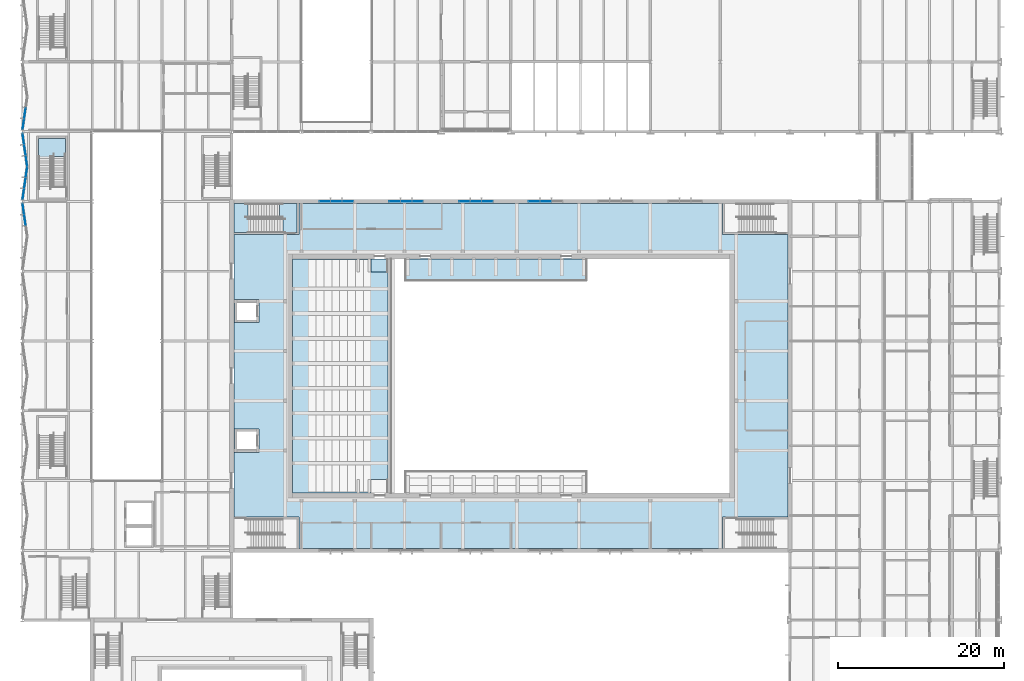
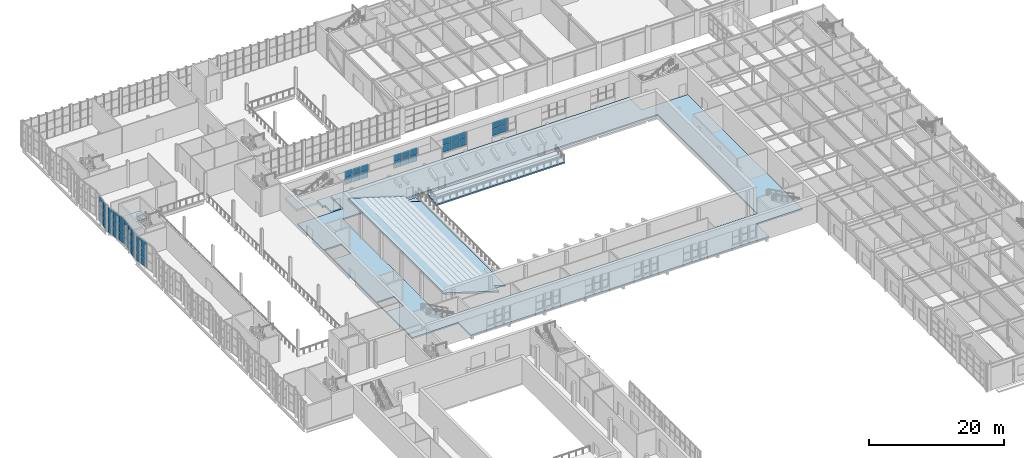
# One storey, part 59 of 127: 52 plates, 7 slabs, 10 elements without a shape of their own.
"""IFC4 building model written with IfcOpenShell, lengths in metres."""

from ifc_helpers import new_model, si_unit, direction, frame, origin, origin_2d, place, context, subcontext, project, spatial, polyline, rectangle, outline, extrude, material, layer, layer_set, type_object, element, aggregate, save


model = new_model("IFC4")

# Units and contexts
model_context = context("Model", 3, precision=1e-05, world=origin(), true_north=direction((0.0, 1.0)))
body_context = subcontext(model_context, "Body", "Model", "MODEL_VIEW")
ifc_project = project(units=[si_unit("LENGTHUNIT", "METRE"), si_unit("AREAUNIT", "SQUARE_METRE"), si_unit("VOLUMEUNIT", "CUBIC_METRE"), si_unit("PLANEANGLEUNIT", "RADIAN"), si_unit("MASSUNIT", "GRAM", prefix="KILO")], contexts=[model_context])

# Site, building, storey
site_placement = place(None, origin())
site = spatial("IfcSite", under=ifc_project, at=site_placement, CompositionType="ELEMENT")
building_placement = place(site_placement, origin())
building = spatial("IfcBuilding", under=site, at=building_placement, Name="Ljudholm Concert House", CompositionType="ELEMENT")
storey_placement = place(building_placement, frame((0.0, 0.0, 5.39990234375)))
storey = spatial("IfcBuildingStorey", under=building, at=storey_placement, Name="L01", CompositionType="ELEMENT", Elevation=5.39990234375)

# Curtain wall, plates
ifc_material_1 = material(Name="Aluminium curtain wall with impact-rated laminated glass", Category="aluminium")
curtain_wall_type = type_object("IfcCurtainWallType", Name="CURTAIN WALL 1400", PredefinedType="NOTDEFINED", material=ifc_material_1)
curtain_wall_1_placement = place(storey_placement, origin())
curtain_wall_1 = element("IfcCurtainWall", 1, at=curtain_wall_1_placement, inside=storey, type_object=curtain_wall_type, Name="Promenade curtain wall", PredefinedType="NOTDEFINED")
ifc_material_2 = material(Name="Impact-rated laminated glass", Category="glass")
ifc_layer_1 = layer(ifc_material_2, 0.028076171875)
ifc_layer_set_1 = layer_set([ifc_layer_1], Name="Impact-rated laminated glass")
plate_type = type_object("IfcPlateType", Name="CURTAIN PANEL 28", PredefinedType="CURTAIN_PANEL", material=ifc_layer_set_1)
plate_1_placement = place(storey_placement, frame((40.43505859375, 96.39990234375, 0.960205078125), z_axis=(0.0, 0.0, 1.0), x_axis=(1.0, 0.0, 0.0)))
plate_1 = element("IfcPlate", 2, at=plate_1_placement, type_object=plate_type, Name="Curtain wall panel", PredefinedType="CURTAIN_PANEL", context=body_context, shape_type="SweptSolid", body=[
    extrude(rectangle(XDim=1.2900390625, YDim=0.028076171875, at=origin_2d()), origin(), (0.0, 0.0, 1.0), 1.2099609375),
])
plate_2_placement = place(storey_placement, frame((40.43505859375, 96.39990234375, 2.230224609375), z_axis=(0.0, 0.0, 1.0), x_axis=(1.0, 0.0, 0.0)))
plate_2 = element("IfcPlate", 3, at=plate_2_placement, type_object=plate_type, Name="Curtain wall panel", PredefinedType="CURTAIN_PANEL", context=body_context, shape_type="SweptSolid", body=[
    extrude(rectangle(XDim=1.2900390625, YDim=0.028076171875, at=origin_2d()), origin(), (0.0, 0.0, 1.0), 1.2099609375),
])
plate_3_placement = place(storey_placement, frame((41.800048828125, 96.39990234375, 0.960205078125), z_axis=(0.0, 0.0, 1.0), x_axis=(1.0, 0.0, 0.0)))
plate_3 = element("IfcPlate", 4, at=plate_3_placement, type_object=plate_type, Name="Curtain wall panel", PredefinedType="CURTAIN_PANEL", context=body_context, shape_type="SweptSolid", body=[
    extrude(rectangle(XDim=1.320068359375, YDim=0.028076171875, at=origin_2d()), origin(), (0.0, 0.0, 1.0), 1.2099609375),
])
plate_4_placement = place(storey_placement, frame((41.800048828125, 96.39990234375, 2.230224609375), z_axis=(0.0, 0.0, 1.0), x_axis=(1.0, 0.0, 0.0)))
plate_4 = element("IfcPlate", 5, at=plate_4_placement, type_object=plate_type, Name="Curtain wall panel", PredefinedType="CURTAIN_PANEL", context=body_context, shape_type="SweptSolid", body=[
    extrude(rectangle(XDim=1.320068359375, YDim=0.028076171875, at=origin_2d()), origin(), (0.0, 0.0, 1.0), 1.2099609375),
])
plate_5_placement = place(storey_placement, frame((43.1650390625, 96.39990234375, 0.960205078125), z_axis=(0.0, 0.0, 1.0), x_axis=(1.0, 0.0, 0.0)))
plate_5 = element("IfcPlate", 6, at=plate_5_placement, type_object=plate_type, Name="Curtain wall panel", PredefinedType="CURTAIN_PANEL", context=body_context, shape_type="SweptSolid", body=[
    extrude(rectangle(XDim=1.2900390625, YDim=0.028076171875, at=origin_2d()), origin(), (0.0, 0.0, 1.0), 1.2099609375),
])
plate_6_placement = place(storey_placement, frame((43.1650390625, 96.39990234375, 2.230224609375), z_axis=(0.0, 0.0, 1.0), x_axis=(1.0, 0.0, 0.0)))
plate_6 = element("IfcPlate", 7, at=plate_6_placement, type_object=plate_type, Name="Curtain wall panel", PredefinedType="CURTAIN_PANEL", context=body_context, shape_type="SweptSolid", body=[
    extrude(rectangle(XDim=1.2900390625, YDim=0.028076171875, at=origin_2d()), origin(), (0.0, 0.0, 1.0), 1.2099609375),
])
aggregate(curtain_wall_1, [plate_1, plate_2, plate_3, plate_4, plate_5, plate_6])

curtain_wall_2_placement = place(storey_placement, origin())
curtain_wall_2 = element("IfcCurtainWall", 8, at=curtain_wall_2_placement, inside=storey, type_object=curtain_wall_type, Name="Promenade curtain wall", PredefinedType="NOTDEFINED")
plate_7_placement = place(storey_placement, frame((48.8349609375, 96.39990234375, 0.960205078125), z_axis=(0.0, 0.0, 1.0), x_axis=(1.0, 0.0, 0.0)))
plate_7 = element("IfcPlate", 9, at=plate_7_placement, type_object=plate_type, Name="Curtain wall panel", PredefinedType="CURTAIN_PANEL", context=body_context, shape_type="SweptSolid", body=[
    extrude(rectangle(XDim=1.2900390625, YDim=0.028076171875, at=origin_2d()), origin(), (0.0, 0.0, 1.0), 1.2099609375),
])
plate_8_placement = place(storey_placement, frame((48.8349609375, 96.39990234375, 2.230224609375), z_axis=(0.0, 0.0, 1.0), x_axis=(1.0, 0.0, 0.0)))
plate_8 = element("IfcPlate", 10, at=plate_8_placement, type_object=plate_type, Name="Curtain wall panel", PredefinedType="CURTAIN_PANEL", context=body_context, shape_type="SweptSolid", body=[
    extrude(rectangle(XDim=1.2900390625, YDim=0.028076171875, at=origin_2d()), origin(), (0.0, 0.0, 1.0), 1.2099609375),
])
plate_9_placement = place(storey_placement, frame((50.199951171875, 96.39990234375, 0.960205078125), z_axis=(0.0, 0.0, 1.0), x_axis=(1.0, 0.0, 0.0)))
plate_9 = element("IfcPlate", 11, at=plate_9_placement, type_object=plate_type, Name="Curtain wall panel", PredefinedType="CURTAIN_PANEL", context=body_context, shape_type="SweptSolid", body=[
    extrude(rectangle(XDim=1.320068359375, YDim=0.028076171875, at=origin_2d()), origin(), (0.0, 0.0, 1.0), 1.2099609375),
])
plate_10_placement = place(storey_placement, frame((50.199951171875, 96.39990234375, 2.230224609375), z_axis=(0.0, 0.0, 1.0), x_axis=(1.0, 0.0, 0.0)))
plate_10 = element("IfcPlate", 12, at=plate_10_placement, type_object=plate_type, Name="Curtain wall panel", PredefinedType="CURTAIN_PANEL", context=body_context, shape_type="SweptSolid", body=[
    extrude(rectangle(XDim=1.320068359375, YDim=0.028076171875, at=origin_2d()), origin(), (0.0, 0.0, 1.0), 1.2099609375),
])
plate_11_placement = place(storey_placement, frame((51.56494140625, 96.39990234375, 0.960205078125), z_axis=(0.0, 0.0, 1.0), x_axis=(1.0, 0.0, 0.0)))
plate_11 = element("IfcPlate", 13, at=plate_11_placement, type_object=plate_type, Name="Curtain wall panel", PredefinedType="CURTAIN_PANEL", context=body_context, shape_type="SweptSolid", body=[
    extrude(rectangle(XDim=1.2900390625, YDim=0.028076171875, at=origin_2d()), origin(), (0.0, 0.0, 1.0), 1.2099609375),
])
plate_12_placement = place(storey_placement, frame((51.56494140625, 96.39990234375, 2.230224609375), z_axis=(0.0, 0.0, 1.0), x_axis=(1.0, 0.0, 0.0)))
plate_12 = element("IfcPlate", 14, at=plate_12_placement, type_object=plate_type, Name="Curtain wall panel", PredefinedType="CURTAIN_PANEL", context=body_context, shape_type="SweptSolid", body=[
    extrude(rectangle(XDim=1.2900390625, YDim=0.028076171875, at=origin_2d()), origin(), (0.0, 0.0, 1.0), 1.2099609375),
])
aggregate(curtain_wall_2, [plate_7, plate_8, plate_9, plate_10, plate_11, plate_12])

curtain_wall_3_placement = place(storey_placement, origin())
curtain_wall_3 = element("IfcCurtainWall", 15, at=curtain_wall_3_placement, inside=storey, type_object=curtain_wall_type, Name="Promenade curtain wall", PredefinedType="NOTDEFINED")
plate_13_placement = place(storey_placement, frame((57.235107421875, 96.39990234375, 0.960205078125), z_axis=(0.0, 0.0, 1.0), x_axis=(1.0, 0.0, 0.0)))
plate_13 = element("IfcPlate", 16, at=plate_13_placement, type_object=plate_type, Name="Curtain wall panel", PredefinedType="CURTAIN_PANEL", context=body_context, shape_type="SweptSolid", body=[
    extrude(rectangle(XDim=1.2900390625, YDim=0.028076171875, at=origin_2d()), origin(), (0.0, 0.0, 1.0), 1.2099609375),
])
plate_14_placement = place(storey_placement, frame((57.235107421875, 96.39990234375, 2.230224609375), z_axis=(0.0, 0.0, 1.0), x_axis=(1.0, 0.0, 0.0)))
plate_14 = element("IfcPlate", 17, at=plate_14_placement, type_object=plate_type, Name="Curtain wall panel", PredefinedType="CURTAIN_PANEL", context=body_context, shape_type="SweptSolid", body=[
    extrude(rectangle(XDim=1.2900390625, YDim=0.028076171875, at=origin_2d()), origin(), (0.0, 0.0, 1.0), 1.2099609375),
])
plate_15_placement = place(storey_placement, frame((58.60009765625, 96.39990234375, 0.960205078125), z_axis=(0.0, 0.0, 1.0), x_axis=(1.0, 0.0, 0.0)))
plate_15 = element("IfcPlate", 18, at=plate_15_placement, type_object=plate_type, Name="Curtain wall panel", PredefinedType="CURTAIN_PANEL", context=body_context, shape_type="SweptSolid", body=[
    extrude(rectangle(XDim=1.320068359375, YDim=0.028076171875, at=origin_2d()), origin(), (0.0, 0.0, 1.0), 1.2099609375),
])
plate_16_placement = place(storey_placement, frame((58.60009765625, 96.39990234375, 2.230224609375), z_axis=(0.0, 0.0, 1.0), x_axis=(1.0, 0.0, 0.0)))
plate_16 = element("IfcPlate", 19, at=plate_16_placement, type_object=plate_type, Name="Curtain wall panel", PredefinedType="CURTAIN_PANEL", context=body_context, shape_type="SweptSolid", body=[
    extrude(rectangle(XDim=1.320068359375, YDim=0.028076171875, at=origin_2d()), origin(), (0.0, 0.0, 1.0), 1.2099609375),
])
plate_17_placement = place(storey_placement, frame((59.965087890625, 96.39990234375, 0.960205078125), z_axis=(0.0, 0.0, 1.0), x_axis=(1.0, 0.0, 0.0)))
plate_17 = element("IfcPlate", 20, at=plate_17_placement, type_object=plate_type, Name="Curtain wall panel", PredefinedType="CURTAIN_PANEL", context=body_context, shape_type="SweptSolid", body=[
    extrude(rectangle(XDim=1.2900390625, YDim=0.028076171875, at=origin_2d()), origin(), (0.0, 0.0, 1.0), 1.2099609375),
])
plate_18_placement = place(storey_placement, frame((59.965087890625, 96.39990234375, 2.230224609375), z_axis=(0.0, 0.0, 1.0), x_axis=(1.0, 0.0, 0.0)))
plate_18 = element("IfcPlate", 21, at=plate_18_placement, type_object=plate_type, Name="Curtain wall panel", PredefinedType="CURTAIN_PANEL", context=body_context, shape_type="SweptSolid", body=[
    extrude(rectangle(XDim=1.2900390625, YDim=0.028076171875, at=origin_2d()), origin(), (0.0, 0.0, 1.0), 1.2099609375),
])
aggregate(curtain_wall_3, [plate_13, plate_14, plate_15, plate_16, plate_17, plate_18])

curtain_wall_4_placement = place(storey_placement, origin())
curtain_wall_4 = element("IfcCurtainWall", 22, at=curtain_wall_4_placement, inside=storey, type_object=curtain_wall_type, Name="Promenade curtain wall", PredefinedType="NOTDEFINED")
plate_19_placement = place(storey_placement, frame((65.635009765625, 96.39990234375, 0.960205078125), z_axis=(0.0, 0.0, 1.0), x_axis=(1.0, 0.0, 0.0)))
plate_19 = element("IfcPlate", 23, at=plate_19_placement, type_object=plate_type, Name="Curtain wall panel", PredefinedType="CURTAIN_PANEL", context=body_context, shape_type="SweptSolid", body=[
    extrude(rectangle(XDim=1.2900390625, YDim=0.028076171875, at=origin_2d()), origin(), (0.0, 0.0, 1.0), 1.2099609375),
])
plate_20_placement = place(storey_placement, frame((65.635009765625, 96.39990234375, 2.230224609375), z_axis=(0.0, 0.0, 1.0), x_axis=(1.0, 0.0, 0.0)))
plate_20 = element("IfcPlate", 24, at=plate_20_placement, type_object=plate_type, Name="Curtain wall panel", PredefinedType="CURTAIN_PANEL", context=body_context, shape_type="SweptSolid", body=[
    extrude(rectangle(XDim=1.2900390625, YDim=0.028076171875, at=origin_2d()), origin(), (0.0, 0.0, 1.0), 1.2099609375),
])
plate_21_placement = place(storey_placement, frame((67.0, 96.39990234375, 0.960205078125), z_axis=(0.0, 0.0, 1.0), x_axis=(1.0, 0.0, 0.0)))
plate_21 = element("IfcPlate", 25, at=plate_21_placement, type_object=plate_type, Name="Curtain wall panel", PredefinedType="CURTAIN_PANEL", context=body_context, shape_type="SweptSolid", body=[
    extrude(rectangle(XDim=1.320068359375, YDim=0.028076171875, at=origin_2d()), origin(), (0.0, 0.0, 1.0), 1.2099609375),
])
plate_22_placement = place(storey_placement, frame((67.0, 96.39990234375, 2.230224609375), z_axis=(0.0, 0.0, 1.0), x_axis=(1.0, 0.0, 0.0)))
plate_22 = element("IfcPlate", 26, at=plate_22_placement, type_object=plate_type, Name="Curtain wall panel", PredefinedType="CURTAIN_PANEL", context=body_context, shape_type="SweptSolid", body=[
    extrude(rectangle(XDim=1.320068359375, YDim=0.028076171875, at=origin_2d()), origin(), (0.0, 0.0, 1.0), 1.2099609375),
])
aggregate(curtain_wall_4, [plate_19, plate_20, plate_21, plate_22])

curtain_wall_5_placement = place(storey_placement, origin())
curtain_wall_5 = element("IfcCurtainWall", 27, at=curtain_wall_5_placement, inside=storey, type_object=curtain_wall_type, Name="Facade curtain wall", PredefinedType="NOTDEFINED")
plate_23_placement = place(storey_placement, frame((4.315673828125, 94.191162109375, 0.06005859375), z_axis=(0.0, 0.0, 1.0), x_axis=(-0.141421356338, 0.989949493647, 0.0)))
plate_23 = element("IfcPlate", 28, at=plate_23_placement, type_object=plate_type, Name="Curtain wall panel", PredefinedType="CURTAIN_PANEL", context=body_context, shape_type="SweptSolid", body=[
    extrude(rectangle(XDim=1.28076171875, YDim=0.028076171875, at=origin_2d()), origin(), (0.0, 0.0, 1.0), 1.449951171875),
])
plate_24_placement = place(storey_placement, frame((4.315673828125, 94.191162109375, 1.570068359375), z_axis=(0.0, 0.0, 1.0), x_axis=(-0.141421356338, 0.989949493647, 0.0)))
plate_24 = element("IfcPlate", 29, at=plate_24_placement, type_object=plate_type, Name="Curtain wall panel", PredefinedType="CURTAIN_PANEL", context=body_context, shape_type="SweptSolid", body=[
    extrude(rectangle(XDim=1.28076171875, YDim=0.028076171875, at=origin_2d()), origin(), (0.0, 0.0, 1.0), 1.47998046875),
])
plate_25_placement = place(storey_placement, frame((4.315673828125, 94.191162109375, 3.1103515625), z_axis=(0.0, 0.0, 1.0), x_axis=(-0.141421356338, 0.989949493647, 0.0)))
plate_25 = element("IfcPlate", 30, at=plate_25_placement, type_object=plate_type, Name="Curtain wall panel", PredefinedType="CURTAIN_PANEL", context=body_context, shape_type="SweptSolid", body=[
    extrude(rectangle(XDim=1.28076171875, YDim=0.028076171875, at=origin_2d()), origin(), (0.0, 0.0, 1.0), 1.449951171875),
])
plate_26_placement = place(storey_placement, frame((4.1279296875, 95.503662109375, 0.06005859375), z_axis=(0.0, 0.0, 1.0), x_axis=(-0.141421356338, 0.989949493647, 0.0)))
plate_26 = element("IfcPlate", 31, at=plate_26_placement, type_object=plate_type, Name="Curtain wall panel", PredefinedType="CURTAIN_PANEL", context=body_context, shape_type="SweptSolid", body=[
    extrude(rectangle(XDim=1.2509765625, YDim=0.028076171875, at=origin_2d()), origin(), (0.0, 0.0, 1.0), 1.449951171875),
])
plate_27_placement = place(storey_placement, frame((4.1279296875, 95.503662109375, 1.570068359375), z_axis=(0.0, 0.0, 1.0), x_axis=(-0.141421356338, 0.989949493647, 0.0)))
plate_27 = element("IfcPlate", 32, at=plate_27_placement, type_object=plate_type, Name="Curtain wall panel", PredefinedType="CURTAIN_PANEL", context=body_context, shape_type="SweptSolid", body=[
    extrude(rectangle(XDim=1.2509765625, YDim=0.028076171875, at=origin_2d()), origin(), (0.0, 0.0, 1.0), 1.47998046875),
])
plate_28_placement = place(storey_placement, frame((4.1279296875, 95.503662109375, 3.1103515625), z_axis=(0.0, 0.0, 1.0), x_axis=(-0.141421356338, 0.989949493647, 0.0)))
plate_28 = element("IfcPlate", 33, at=plate_28_placement, type_object=plate_type, Name="Curtain wall panel", PredefinedType="CURTAIN_PANEL", context=body_context, shape_type="SweptSolid", body=[
    extrude(rectangle(XDim=1.2509765625, YDim=0.028076171875, at=origin_2d()), origin(), (0.0, 0.0, 1.0), 1.449951171875),
])
aggregate(curtain_wall_5, [plate_23, plate_24, plate_25, plate_26, plate_27, plate_28])

curtain_wall_6_placement = place(storey_placement, origin())
curtain_wall_6 = element("IfcCurtainWall", 34, at=curtain_wall_6_placement, inside=storey, type_object=curtain_wall_type, Name="Facade curtain wall", PredefinedType="NOTDEFINED")
plate_29_placement = place(storey_placement, frame((4.1279296875, 97.29638671875, 0.06005859375), z_axis=(0.0, 0.0, 1.0), x_axis=(0.141421356338, 0.989949493647, 0.0)))
plate_29 = element("IfcPlate", 35, at=plate_29_placement, type_object=plate_type, Name="Curtain wall panel", PredefinedType="CURTAIN_PANEL", context=body_context, shape_type="SweptSolid", body=[
    extrude(rectangle(XDim=1.2509765625, YDim=0.028076171875, at=origin_2d()), origin(), (0.0, 0.0, 1.0), 1.449951171875),
])
plate_30_placement = place(storey_placement, frame((4.1279296875, 97.29638671875, 1.570068359375), z_axis=(0.0, 0.0, 1.0), x_axis=(0.141421356338, 0.989949493647, 0.0)))
plate_30 = element("IfcPlate", 36, at=plate_30_placement, type_object=plate_type, Name="Curtain wall panel", PredefinedType="CURTAIN_PANEL", context=body_context, shape_type="SweptSolid", body=[
    extrude(rectangle(XDim=1.2509765625, YDim=0.028076171875, at=origin_2d()), origin(), (0.0, 0.0, 1.0), 1.47998046875),
])
plate_31_placement = place(storey_placement, frame((4.1279296875, 97.29638671875, 3.1103515625), z_axis=(0.0, 0.0, 1.0), x_axis=(0.141421356338, 0.989949493647, 0.0)))
plate_31 = element("IfcPlate", 37, at=plate_31_placement, type_object=plate_type, Name="Curtain wall panel", PredefinedType="CURTAIN_PANEL", context=body_context, shape_type="SweptSolid", body=[
    extrude(rectangle(XDim=1.2509765625, YDim=0.028076171875, at=origin_2d()), origin(), (0.0, 0.0, 1.0), 1.449951171875),
])
plate_32_placement = place(storey_placement, frame((4.315673828125, 98.60888671875, 0.06005859375), z_axis=(0.0, 0.0, 1.0), x_axis=(0.141421356338, 0.989949493647, 0.0)))
plate_32 = element("IfcPlate", 38, at=plate_32_placement, type_object=plate_type, Name="Curtain wall panel", PredefinedType="CURTAIN_PANEL", context=body_context, shape_type="SweptSolid", body=[
    extrude(rectangle(XDim=1.28076171875, YDim=0.028076171875, at=origin_2d()), origin(), (0.0, 0.0, 1.0), 1.449951171875),
])
plate_33_placement = place(storey_placement, frame((4.315673828125, 98.60888671875, 1.570068359375), z_axis=(0.0, 0.0, 1.0), x_axis=(0.141421356338, 0.989949493647, 0.0)))
plate_33 = element("IfcPlate", 39, at=plate_33_placement, type_object=plate_type, Name="Curtain wall panel", PredefinedType="CURTAIN_PANEL", context=body_context, shape_type="SweptSolid", body=[
    extrude(rectangle(XDim=1.28076171875, YDim=0.028076171875, at=origin_2d()), origin(), (0.0, 0.0, 1.0), 1.47998046875),
])
plate_34_placement = place(storey_placement, frame((4.315673828125, 98.60888671875, 3.1103515625), z_axis=(0.0, 0.0, 1.0), x_axis=(0.141421356338, 0.989949493647, 0.0)))
plate_34 = element("IfcPlate", 40, at=plate_34_placement, type_object=plate_type, Name="Curtain wall panel", PredefinedType="CURTAIN_PANEL", context=body_context, shape_type="SweptSolid", body=[
    extrude(rectangle(XDim=1.28076171875, YDim=0.028076171875, at=origin_2d()), origin(), (0.0, 0.0, 1.0), 1.449951171875),
])
plate_35_placement = place(storey_placement, frame((4.503173828125, 99.92138671875, 0.06005859375), z_axis=(0.0, 0.0, 1.0), x_axis=(0.141421356338, 0.989949493647, 0.0)))
plate_35 = element("IfcPlate", 41, at=plate_35_placement, type_object=plate_type, Name="Curtain wall panel", PredefinedType="CURTAIN_PANEL", context=body_context, shape_type="SweptSolid", body=[
    extrude(rectangle(XDim=1.2509765625, YDim=0.028076171875, at=origin_2d()), origin(), (0.0, 0.0, 1.0), 1.449951171875),
])
plate_36_placement = place(storey_placement, frame((4.503173828125, 99.92138671875, 1.570068359375), z_axis=(0.0, 0.0, 1.0), x_axis=(0.141421356338, 0.989949493647, 0.0)))
plate_36 = element("IfcPlate", 42, at=plate_36_placement, type_object=plate_type, Name="Curtain wall panel", PredefinedType="CURTAIN_PANEL", context=body_context, shape_type="SweptSolid", body=[
    extrude(rectangle(XDim=1.2509765625, YDim=0.028076171875, at=origin_2d()), origin(), (0.0, 0.0, 1.0), 1.47998046875),
])
plate_37_placement = place(storey_placement, frame((4.503173828125, 99.92138671875, 3.1103515625), z_axis=(0.0, 0.0, 1.0), x_axis=(0.141421356338, 0.989949493647, 0.0)))
plate_37 = element("IfcPlate", 43, at=plate_37_placement, type_object=plate_type, Name="Curtain wall panel", PredefinedType="CURTAIN_PANEL", context=body_context, shape_type="SweptSolid", body=[
    extrude(rectangle(XDim=1.2509765625, YDim=0.028076171875, at=origin_2d()), origin(), (0.0, 0.0, 1.0), 1.449951171875),
])
aggregate(curtain_wall_6, [plate_29, plate_30, plate_31, plate_32, plate_33, plate_34, plate_35, plate_36, plate_37])

curtain_wall_7_placement = place(storey_placement, origin())
curtain_wall_7 = element("IfcCurtainWall", 44, at=curtain_wall_7_placement, inside=storey, type_object=curtain_wall_type, Name="Facade curtain wall", PredefinedType="NOTDEFINED")
plate_38_placement = place(storey_placement, frame((4.503173828125, 101.278564453125, 0.06005859375), z_axis=(0.0, 0.0, 1.0), x_axis=(-0.141421356338, 0.989949493647, 0.0)))
plate_38 = element("IfcPlate", 45, at=plate_38_placement, type_object=plate_type, Name="Curtain wall panel", PredefinedType="CURTAIN_PANEL", context=body_context, shape_type="SweptSolid", body=[
    extrude(rectangle(XDim=1.2509765625, YDim=0.028076171875, at=origin_2d()), origin(), (0.0, 0.0, 1.0), 1.449951171875),
])
plate_39_placement = place(storey_placement, frame((4.503173828125, 101.278564453125, 1.570068359375), z_axis=(0.0, 0.0, 1.0), x_axis=(-0.141421356338, 0.989949493647, 0.0)))
plate_39 = element("IfcPlate", 46, at=plate_39_placement, type_object=plate_type, Name="Curtain wall panel", PredefinedType="CURTAIN_PANEL", context=body_context, shape_type="SweptSolid", body=[
    extrude(rectangle(XDim=1.2509765625, YDim=0.028076171875, at=origin_2d()), origin(), (0.0, 0.0, 1.0), 1.47998046875),
])
plate_40_placement = place(storey_placement, frame((4.503173828125, 101.278564453125, 3.1103515625), z_axis=(0.0, 0.0, 1.0), x_axis=(-0.141421356338, 0.989949493647, 0.0)))
plate_40 = element("IfcPlate", 47, at=plate_40_placement, type_object=plate_type, Name="Curtain wall panel", PredefinedType="CURTAIN_PANEL", context=body_context, shape_type="SweptSolid", body=[
    extrude(rectangle(XDim=1.2509765625, YDim=0.028076171875, at=origin_2d()), origin(), (0.0, 0.0, 1.0), 1.449951171875),
])
plate_41_placement = place(storey_placement, frame((4.315673828125, 102.591064453125, 0.06005859375), z_axis=(0.0, 0.0, 1.0), x_axis=(-0.141421356338, 0.989949493647, 0.0)))
plate_41 = element("IfcPlate", 48, at=plate_41_placement, type_object=plate_type, Name="Curtain wall panel", PredefinedType="CURTAIN_PANEL", context=body_context, shape_type="SweptSolid", body=[
    extrude(rectangle(XDim=1.28076171875, YDim=0.028076171875, at=origin_2d()), origin(), (0.0, 0.0, 1.0), 1.449951171875),
])
plate_42_placement = place(storey_placement, frame((4.315673828125, 102.591064453125, 1.570068359375), z_axis=(0.0, 0.0, 1.0), x_axis=(-0.141421356338, 0.989949493647, 0.0)))
plate_42 = element("IfcPlate", 49, at=plate_42_placement, type_object=plate_type, Name="Curtain wall panel", PredefinedType="CURTAIN_PANEL", context=body_context, shape_type="SweptSolid", body=[
    extrude(rectangle(XDim=1.28076171875, YDim=0.028076171875, at=origin_2d()), origin(), (0.0, 0.0, 1.0), 1.47998046875),
])
plate_43_placement = place(storey_placement, frame((4.315673828125, 102.591064453125, 3.1103515625), z_axis=(0.0, 0.0, 1.0), x_axis=(-0.141421356338, 0.989949493647, 0.0)))
plate_43 = element("IfcPlate", 50, at=plate_43_placement, type_object=plate_type, Name="Curtain wall panel", PredefinedType="CURTAIN_PANEL", context=body_context, shape_type="SweptSolid", body=[
    extrude(rectangle(XDim=1.28076171875, YDim=0.028076171875, at=origin_2d()), origin(), (0.0, 0.0, 1.0), 1.449951171875),
])
plate_44_placement = place(storey_placement, frame((4.1279296875, 103.903564453125, 0.06005859375), z_axis=(0.0, 0.0, 1.0), x_axis=(-0.141421356338, 0.989949493647, 0.0)))
plate_44 = element("IfcPlate", 51, at=plate_44_placement, type_object=plate_type, Name="Curtain wall panel", PredefinedType="CURTAIN_PANEL", context=body_context, shape_type="SweptSolid", body=[
    extrude(rectangle(XDim=1.2509765625, YDim=0.028076171875, at=origin_2d()), origin(), (0.0, 0.0, 1.0), 1.449951171875),
])
plate_45_placement = place(storey_placement, frame((4.1279296875, 103.903564453125, 1.570068359375), z_axis=(0.0, 0.0, 1.0), x_axis=(-0.141421356338, 0.989949493647, 0.0)))
plate_45 = element("IfcPlate", 52, at=plate_45_placement, type_object=plate_type, Name="Curtain wall panel", PredefinedType="CURTAIN_PANEL", context=body_context, shape_type="SweptSolid", body=[
    extrude(rectangle(XDim=1.2509765625, YDim=0.028076171875, at=origin_2d()), origin(), (0.0, 0.0, 1.0), 1.47998046875),
])
plate_46_placement = place(storey_placement, frame((4.1279296875, 103.903564453125, 3.1103515625), z_axis=(0.0, 0.0, 1.0), x_axis=(-0.141421356338, 0.989949493647, 0.0)))
plate_46 = element("IfcPlate", 53, at=plate_46_placement, type_object=plate_type, Name="Curtain wall panel", PredefinedType="CURTAIN_PANEL", context=body_context, shape_type="SweptSolid", body=[
    extrude(rectangle(XDim=1.2509765625, YDim=0.028076171875, at=origin_2d()), origin(), (0.0, 0.0, 1.0), 1.449951171875),
])
aggregate(curtain_wall_7, [plate_38, plate_39, plate_40, plate_41, plate_42, plate_43, plate_44, plate_45, plate_46])

curtain_wall_8_placement = place(storey_placement, origin())
curtain_wall_8 = element("IfcCurtainWall", 54, at=curtain_wall_8_placement, inside=storey, type_object=curtain_wall_type, Name="Facade curtain wall", PredefinedType="NOTDEFINED")
plate_47_placement = place(storey_placement, frame((4.1279296875, 105.6962890625, 0.06005859375), z_axis=(0.0, 0.0, 1.0), x_axis=(0.141421356338, 0.989949493647, 0.0)))
plate_47 = element("IfcPlate", 55, at=plate_47_placement, type_object=plate_type, Name="Curtain wall panel", PredefinedType="CURTAIN_PANEL", context=body_context, shape_type="SweptSolid", body=[
    extrude(rectangle(XDim=1.2509765625, YDim=0.028076171875, at=origin_2d()), origin(), (0.0, 0.0, 1.0), 1.449951171875),
])
plate_48_placement = place(storey_placement, frame((4.1279296875, 105.6962890625, 1.570068359375), z_axis=(0.0, 0.0, 1.0), x_axis=(0.141421356338, 0.989949493647, 0.0)))
plate_48 = element("IfcPlate", 56, at=plate_48_placement, type_object=plate_type, Name="Curtain wall panel", PredefinedType="CURTAIN_PANEL", context=body_context, shape_type="SweptSolid", body=[
    extrude(rectangle(XDim=1.2509765625, YDim=0.028076171875, at=origin_2d()), origin(), (0.0, 0.0, 1.0), 1.47998046875),
])
plate_49_placement = place(storey_placement, frame((4.1279296875, 105.6962890625, 3.1103515625), z_axis=(0.0, 0.0, 1.0), x_axis=(0.141421356338, 0.989949493647, 0.0)))
plate_49 = element("IfcPlate", 57, at=plate_49_placement, type_object=plate_type, Name="Curtain wall panel", PredefinedType="CURTAIN_PANEL", context=body_context, shape_type="SweptSolid", body=[
    extrude(rectangle(XDim=1.2509765625, YDim=0.028076171875, at=origin_2d()), origin(), (0.0, 0.0, 1.0), 1.449951171875),
])
plate_50_placement = place(storey_placement, frame((4.315673828125, 107.0087890625, 0.06005859375), z_axis=(0.0, 0.0, 1.0), x_axis=(0.141421356338, 0.989949493647, 0.0)))
plate_50 = element("IfcPlate", 58, at=plate_50_placement, type_object=plate_type, Name="Curtain wall panel", PredefinedType="CURTAIN_PANEL", context=body_context, shape_type="SweptSolid", body=[
    extrude(rectangle(XDim=1.28076171875, YDim=0.028076171875, at=origin_2d()), origin(), (0.0, 0.0, 1.0), 1.449951171875),
])
plate_51_placement = place(storey_placement, frame((4.315673828125, 107.0087890625, 1.570068359375), z_axis=(0.0, 0.0, 1.0), x_axis=(0.141421356338, 0.989949493647, 0.0)))
plate_51 = element("IfcPlate", 59, at=plate_51_placement, type_object=plate_type, Name="Curtain wall panel", PredefinedType="CURTAIN_PANEL", context=body_context, shape_type="SweptSolid", body=[
    extrude(rectangle(XDim=1.28076171875, YDim=0.028076171875, at=origin_2d()), origin(), (0.0, 0.0, 1.0), 1.47998046875),
])
plate_52_placement = place(storey_placement, frame((4.315673828125, 107.0087890625, 3.1103515625), z_axis=(0.0, 0.0, 1.0), x_axis=(0.141421356338, 0.989949493647, 0.0)))
plate_52 = element("IfcPlate", 60, at=plate_52_placement, type_object=plate_type, Name="Curtain wall panel", PredefinedType="CURTAIN_PANEL", context=body_context, shape_type="SweptSolid", body=[
    extrude(rectangle(XDim=1.28076171875, YDim=0.028076171875, at=origin_2d()), origin(), (0.0, 0.0, 1.0), 1.449951171875),
])
aggregate(curtain_wall_8, [plate_47, plate_48, plate_49, plate_50, plate_51, plate_52])

# Slabs
ifc_material_3 = material(Name="Concrete 5,000 psi", Category="concrete")
ifc_layer_2 = layer(ifc_material_3, 0.300048828125)
ifc_layer_set_2 = layer_set([ifc_layer_2], Name="Concrete 5,000 psi")
slab_type_1 = type_object("IfcSlabType", Name="RAKED TIER SLAB 300", PredefinedType="USERDEFINED", material=ifc_layer_set_2)
slab_1_placement = place(storey_placement, frame((48.0, 62.89990234375, 0.252685546875), z_axis=(0.301132244154, 0.0, 0.953582388434), x_axis=(-0.953582388434, 0.0, 0.301132244154)))
element("IfcSlab", 61, at=slab_1_placement, inside=storey, type_object=slab_type_1, Name="Stand First Tier 1", ObjectType="SEATING TIER", PredefinedType="USERDEFINED", context=body_context, shape_type="SweptSolid", body=[
    extrude(outline(polyline([(0.0, 0.0), (2.097357432049475, 0.0), (2.097357432049475, 1.5998535156249998), (12.059786854630905, 1.5998535156249998), (12.059786854630905, -26.600097656249996), (2.097357432049475, -26.600097656249996), (2.097357432049475, -24.999999999999996), (0.0, -24.999999999999996), (0.0, 0.0)])), origin(), (0.0, 0.0, -1.0), 0.300048828125),
])
slab_2_placement = place(storey_placement, frame((72.0, 86.800048828125, -0.2998046875), z_axis=(0.0, -0.11036247802, 0.993891404252), x_axis=(0.0, 0.993891404252, 0.11036247802)))
element("IfcSlab", 62, at=slab_2_placement, inside=storey, type_object=slab_type_1, Name="Stand Lower gallery North", ObjectType="SEATING TIER", PredefinedType="USERDEFINED", context=body_context, shape_type="SweptSolid", body=[
    extrude(outline(polyline([(0.0, 0.0), (2.7165454498602006, 0.0), (2.7165454498602006, 22.0), (0.0, 22.0), (0.0, 0.0)])), origin(), (0.0, 0.0, -1.0), 0.300048828125),
])
ifc_material_4 = material(Name="Concrete 5,000 psi", Category="concrete")
ifc_layer_3 = layer(ifc_material_4, 0.25)
ifc_layer_set_3 = layer_set([ifc_layer_3], Name="Concrete 5,000 psi")
slab_type_2 = type_object("IfcSlabType", Name="RC FLOOR SLAB 250", PredefinedType="FLOOR", material=ifc_layer_set_3)
slab_3_placement = place(storey_placement, frame((0.0, 0.0, -0.25)))
element("IfcSlab", 63, at=slab_3_placement, inside=storey, type_object=slab_type_2, Name="Ring floor", PredefinedType="FLOOR", context=body_context, shape_type="SweptSolid", body=[
    extrude(outline(polyline([(96.14990234375, 58.39990234375), (88.300048828125, 58.39990234375), (88.300048828125, 54.64990234375), (37.300048828125, 54.64990234375), (37.300048828125, 58.39990234375), (29.449951171875, 58.39990234375), (29.449951171875, 92.39990234375), (37.300048828125, 92.39990234375), (37.300048828125, 96.14990234375), (88.300048828125, 96.14990234375), (88.300048828125, 92.39990234375), (96.14990234375, 92.39990234375), (96.14990234375, 58.39990234375)]), holes=[polyline([(29.52490234375, 69.0), (29.52490234375, 66.199951171875), (32.47509765625, 66.199951171875), (32.47509765625, 69.0), (29.52490234375, 69.0)]), polyline([(35.85009765625, 90.14990234375), (35.85009765625, 60.64990234375), (89.75, 60.64990234375), (89.75, 90.14990234375), (35.85009765625, 90.14990234375)]), polyline([(29.52490234375, 84.60009765625), (29.52490234375, 81.800048828125), (32.47509765625, 81.800048828125), (32.47509765625, 84.60009765625), (29.52490234375, 84.60009765625)])]), origin(), (0.0, 0.0, 1.0), 0.25),
])
slab_4_placement = place(storey_placement, frame((0.0, 0.0, -0.25)))
element("IfcSlab", 64, at=slab_4_placement, inside=storey, type_object=slab_type_2, Name="Vomitory landing", PredefinedType="FLOOR", context=body_context, shape_type="SweptSolid", body=[
    extrude(outline(polyline([(46.0, 87.89990234375), (48.0, 87.89990234375), (48.0, 89.5), (46.0, 89.5), (46.0, 87.89990234375)])), origin(), (0.0, 0.0, 1.0), 0.25),
])
ifc_material_5 = material(Name="Concrete 5,000 psi", Category="concrete")
ifc_layer_4 = layer(ifc_material_5, 0.39990234375)
ifc_layer_set_4 = layer_set([ifc_layer_4], Name="Concrete 5,000 psi")
slab_type_3 = type_object("IfcSlabType", Name="RC FLOOR SLAB 400", PredefinedType="FLOOR", material=ifc_layer_set_4)
slab_5_placement = place(storey_placement, frame((0.0, 0.0, -0.39990234375)))
element("IfcSlab", 65, at=slab_5_placement, inside=storey, type_object=slab_type_3, Name="Stair arrival floor EH2", PredefinedType="FLOOR", context=body_context, shape_type="SweptSolid", body=[
    extrude(outline(polyline([(37.050048828125, 96.14990234375), (37.050048828125, 92.64990234375), (35.349609375, 92.64990234375), (35.349609375, 94.449951171875), (34.949951171875, 94.449951171875), (34.949951171875, 96.14990234375), (35.349609375, 96.14990234375), (35.35009765625, 96.14990234375), (37.050048828125, 96.14990234375)])), origin(), (0.0, 0.0, 1.0), 0.39990234375),
])

# Stair, slab
ifc_material_6 = material(Name="Concrete 5,000 psi", Category="concrete")
stair_type_1 = type_object("IfcStairType", Name="RC STAIR 1700x171x323", PredefinedType="HALF_TURN_STAIR", material=ifc_material_6)
stair_1_placement = place(storey_placement, origin())
stair_1 = element("IfcStair", 66, at=stair_1_placement, inside=storey, type_object=stair_type_1, Name="Exit stair EH2", PredefinedType="HALF_TURN_STAIR")
ifc_material_7 = material(Name="Concrete 5,000 psi", Category="concrete")
ifc_layer_5 = layer(ifc_material_7, 0.409912109375)
ifc_layer_set_5 = layer_set([ifc_layer_5], Name="Concrete 5,000 psi")
slab_type_4 = type_object("IfcSlabType", Name="RC LANDING 410", PredefinedType="LANDING", material=ifc_layer_set_5)
slab_6_placement = place(storey_placement, frame((0.0, 0.0, 1.989990234375)))
slab_6 = element("IfcSlab", 67, at=slab_6_placement, type_object=slab_type_4, Name="Stair landing", PredefinedType="LANDING", context=body_context, shape_type="SweptSolid", body=[
    extrude(outline(polyline([(32.97998046875, 92.64990234375), (32.97998046875, 94.35009765625), (31.150390625, 94.35009765625), (31.150390625, 96.14990234375), (29.449951171875, 96.14990234375), (29.449951171875, 92.64990234375), (32.97998046875, 92.64990234375)])), origin(), (0.0, 0.0, 1.0), 0.41015625),
])
aggregate(stair_1, [slab_6])

ifc_material_8 = material(Name="Concrete 5,000 psi", Category="concrete")
stair_type_2 = type_object("IfcStairType", Name="RC STAIR 1500x171x280", PredefinedType="HALF_TURN_STAIR", material=ifc_material_8)
stair_2_placement = place(storey_placement, origin())
stair_2 = element("IfcStair", 68, at=stair_2_placement, inside=storey, type_object=stair_type_2, Name="Stair", PredefinedType="HALF_TURN_STAIR")
slab_7_placement = place(storey_placement, frame((0.0, 0.0, 1.989990234375)))
slab_7 = element("IfcSlab", 69, at=slab_7_placement, type_object=slab_type_4, Name="Stair landing", PredefinedType="LANDING", context=body_context, shape_type="SweptSolid", body=[
    extrude(outline(polyline([(5.949951171875, 100.23388671875), (7.449951171875, 100.23388671875), (7.449951171875, 101.839599609375), (9.199951171875, 101.839599609375), (9.199951171875, 104.0), (5.949951171875, 104.0), (5.949951171875, 100.23388671875)])), origin(), (0.0, 0.0, 1.0), 0.41015625),
])
aggregate(stair_2, [slab_7])

save(model, "model.ifc")
